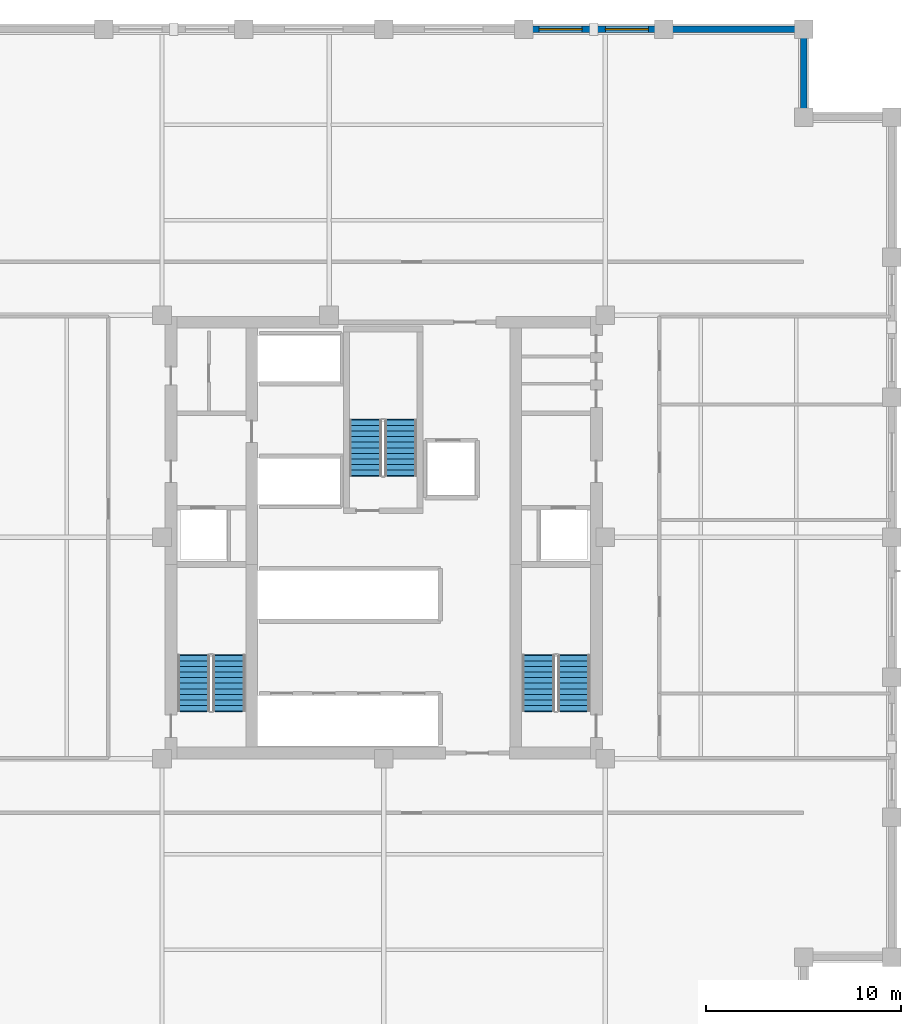
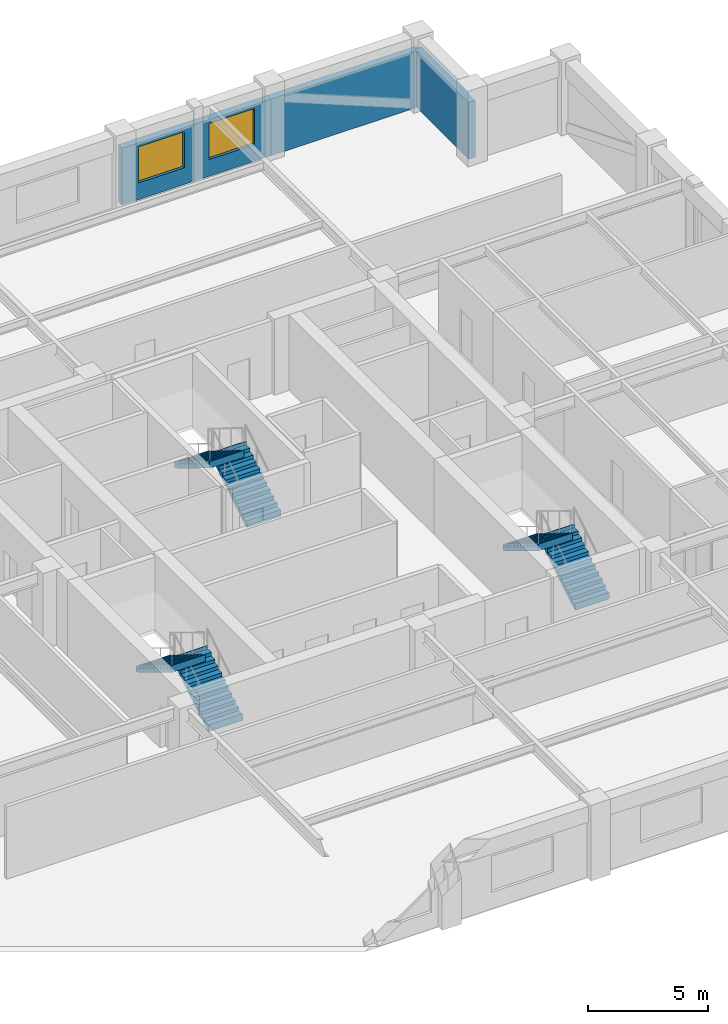
# One storey, part 8 of 9: 6 stair flights, 3 walls, 2 windows, 2 openings, 3 elements without a shape of their own.
"""IFC4 building model written with IfcOpenShell, lengths in metres."""

from ifc_helpers import new_model, si_unit, direction, frame, frame_2d, origin, place, context, subcontext, project, spatial, polyline, rectangle, outline, extrude, material, layer, layer_set, type_object, element, fill, aggregate, save


model = new_model("IFC4")

# Units and contexts
model_context = context("Model", 3, precision=1e-05, world=origin(), true_north=direction((0.0, 1.0)))
body_context = subcontext(model_context, "Body", "Model", "MODEL_VIEW")
ifc_project = project(units=[si_unit("LENGTHUNIT", "METRE"), si_unit("AREAUNIT", "SQUARE_METRE"), si_unit("VOLUMEUNIT", "CUBIC_METRE"), si_unit("PLANEANGLEUNIT", "RADIAN"), si_unit("MASSUNIT", "GRAM", prefix="KILO")], contexts=[model_context])

# Site, building, storey
site_placement = place(None, origin())
site = spatial("IfcSite", under=ifc_project, at=site_placement, CompositionType="ELEMENT")
building_placement = place(site_placement, origin())
building = spatial("IfcBuilding", under=site, at=building_placement, Name="Nhamokura Convention Tower", CompositionType="ELEMENT")
storey_placement = place(building_placement, frame((0.0, 0.0, 149.10009765625)))
storey = spatial("IfcBuildingStorey", under=building, at=storey_placement, Name="L36", CompositionType="ELEMENT", Elevation=149.10009765625)

# Wall, openings, windows
ifc_material_1 = material(Name="Bronze-pigmented precast concrete C45/55", Category="concrete")
ifc_layer = layer(ifc_material_1, 0.320068359375)
ifc_layer_set = layer_set([ifc_layer], Name="BronzePrecastSpandrel_320")
wall_type = type_object("IfcWallType", Name="BronzePrecastSpandrel_320", PredefinedType="USERDEFINED", material=ifc_layer_set)
wall_1_placement = place(storey_placement, frame((39.166748046875, 58.0, 0.0), z_axis=(0.0, 0.0, 1.0), x_axis=(1.0, 0.0, 0.0)))
wall_1 = element("IfcWall", 1, at=wall_1_placement, inside=storey, type_object=wall_type, Name="L36 Masonry-Frame Wall NORTH 4", ObjectType="SPANDREL_WALL", PredefinedType="USERDEFINED", context=body_context, shape_type="SweptSolid", body=[
    extrude(rectangle(XDim=7.16650390625, YDim=0.320068359375, at=frame_2d((3.583251953125, 0.0))), origin(), (0.0, 0.0, 1.0), 2.885009765625),
])
opening_1_placement = place(wall_1_placement, frame((0.791748046875, 0.0, 0.85009765625)))
opening_1 = element("IfcOpeningElement", 2, at=opening_1_placement, cuts=wall_1, Name="Opening W-06", PredefinedType="OPENING", context=body_context, shape_type="SweptSolid", body=[
    extrude(rectangle(XDim=2.199951171875, YDim=1.8349609375, at=frame_2d((1.10009765625, 0.91748046875))), frame((0.0, 0.169921875, 0.0), z_axis=(0.0, -1.0, 0.0), x_axis=(1.0, 0.0, 0.0)), (0.0, 0.0, 1.0), 0.340087890625),
])
opening_2_placement = place(wall_1_placement, frame((4.175048828125, 0.0, 0.85009765625)))
opening_2 = element("IfcOpeningElement", 3, at=opening_2_placement, cuts=wall_1, Name="Opening W-06", PredefinedType="OPENING", context=body_context, shape_type="SweptSolid", body=[
    extrude(rectangle(XDim=2.199951171875, YDim=1.8349609375, at=frame_2d((1.10009765625, 0.91748046875))), frame((0.0, 0.169921875, 0.0), z_axis=(0.0, -1.0, 0.0), x_axis=(1.0, 0.0, 0.0)), (0.0, 0.0, 1.0), 0.340087890625),
])
ifc_material_2 = material(Name="Solar-control bronze low-E double glass", Category="glass")
window_type = type_object("IfcWindowType", Name="OfficeModuleWindow_Z2_2200", PartitioningType="SINGLE_PANEL", PredefinedType="WINDOW", material=ifc_material_2)
window_1_placement = place(opening_1_placement, origin())
window_1 = element("IfcWindow", 4, at=window_1_placement, inside=storey, type_object=window_type, Name="L36 Facade Window NORTH 4-1", OverallHeight=1.8349609375, OverallWidth=2.199951171875, PartitioningType="SINGLE_PANEL", PredefinedType="WINDOW", context=body_context, shape_type="SweptSolid", body=[
    extrude(rectangle(XDim=2.199951171875, YDim=1.8349609375, at=frame_2d((1.10009765625, 0.91748046875))), frame((0.0, 0.030029296875, 0.0), z_axis=(0.0, -1.0, 0.0), x_axis=(1.0, 0.0, 0.0)), (0.0, 0.0, 1.0), 0.06005859375),
])
fill(opening_1, window_1)
window_2_placement = place(opening_2_placement, origin())
window_2 = element("IfcWindow", 5, at=window_2_placement, inside=storey, type_object=window_type, Name="L36 Facade Window NORTH 4-2", OverallHeight=1.8349609375, OverallWidth=2.199951171875, PartitioningType="SINGLE_PANEL", PredefinedType="WINDOW", context=body_context, shape_type="SweptSolid", body=[
    extrude(rectangle(XDim=2.199951171875, YDim=1.8349609375, at=frame_2d((1.10009765625, 0.91748046875))), frame((0.0, 0.030029296875, 0.0), z_axis=(0.0, -1.0, 0.0), x_axis=(1.0, 0.0, 0.0)), (0.0, 0.0, 1.0), 0.06005859375),
])
fill(opening_2, window_2)

# Walls
wall_2_placement = place(storey_placement, frame((46.333251953125, 58.0, 0.0), z_axis=(0.0, 0.0, 1.0), x_axis=(1.0, 0.0, 0.0)))
element("IfcWall", 6, at=wall_2_placement, inside=storey, type_object=wall_type, Name="L36 Braced-Bay Precast Wall NORTH 5", ObjectType="SPANDREL_WALL", PredefinedType="USERDEFINED", context=body_context, shape_type="SweptSolid", body=[
    extrude(rectangle(XDim=7.166748046875, YDim=0.320068359375, at=frame_2d((3.58349609375, 0.0))), origin(), (0.0, 0.0, 1.0), 2.885009765625),
])
wall_3_placement = place(storey_placement, frame((53.5, 58.0, 0.0), z_axis=(0.0, 0.0, 1.0), x_axis=(0.0, -1.0, 0.0)))
element("IfcWall", 7, at=wall_3_placement, inside=storey, type_object=wall_type, Name="L36 Notched Corner Wall NE2", ObjectType="SPANDREL_WALL", PredefinedType="USERDEFINED", context=body_context, shape_type="SweptSolid", body=[
    extrude(rectangle(XDim=4.5, YDim=0.320068359375, at=frame_2d((2.25, 0.0))), origin(), (0.0, 0.0, 1.0), 2.885009765625),
])

# Stair, stair flights
ifc_material_3 = material(Name="Concrete C40/50", Category="concrete")
stair_type = type_object("IfcStairType", Name="TowerCoreStair_1650", PredefinedType="HALF_TURN_STAIR", material=ifc_material_3)
stair_1_placement = place(storey_placement, origin())
stair_1 = element("IfcStair", 8, at=stair_1_placement, inside=storey, type_object=stair_type, Name="L36 West Core Smokeproof Stair ST-01", PredefinedType="HALF_TURN_STAIR")
ifc_material_4 = material(Name="Concrete C40/50", Category="concrete")
stair_flight_type = type_object("IfcStairFlightType", Name="TowerCoreStair_1650_Flight", PredefinedType="STRAIGHT", material=ifc_material_4)
stair_flight_1_placement = place(storey_placement, frame((24.074951171875, 23.10009765625, 0.0), z_axis=(0.0, 0.0, 1.0), x_axis=(0.0, 1.0, 0.0)))
stair_flight_1 = element("IfcStairFlight", 9, at=stair_flight_1_placement, type_object=stair_flight_type, Name="ST-01 flight 1", NumberOfRisers=11, NumberOfTreads=10, PredefinedType="STRAIGHT", RiserHeight=0.175, TreadLength=0.285, context=body_context, shape_type="SweptSolid", body=[
    extrude(outline(polyline([(-0.0419921875, 0.0), (0.0, 0.175048828125), (0.284912109375, 0.175048828125), (0.284912109375, 0.35009765625), (0.570068359375, 0.35009765625), (0.570068359375, 0.52490234375), (0.85498046875, 0.52490234375), (0.85498046875, 0.699951171875), (1.139892578125, 0.699951171875), (1.139892578125, 0.875), (1.425048828125, 0.875), (1.425048828125, 1.050048828125), (1.7099609375, 1.050048828125), (1.7099609375, 1.22509765625), (1.9951171875, 1.22509765625), (1.9951171875, 1.39990234375), (2.280029296875, 1.39990234375), (2.280029296875, 1.574951171875), (2.56494140625, 1.574951171875), (2.56494140625, 1.75), (2.85009765625, 1.75), (2.85009765625, 1.925048828125), (2.89208984375, 1.925048828125), (2.89208984375, 1.573974609375), (2.85009765625, 1.573974609375), (0.286376953125, 0.0), (0.02001953125, -0.1298828125), (-0.0419921875, -0.1298828125), (-0.0419921875, 0.0)])), frame((0.0, 0.824951171875, 0.0), z_axis=(0.0, -1.0, 0.0), x_axis=(1.0, 0.0, 0.0)), (0.0, 0.0, 1.0), 1.64990234375),
])
stair_flight_2_placement = place(storey_placement, frame((22.27490234375, 25.949951171875, 1.9248046875), z_axis=(0.0, 0.0, 1.0), x_axis=(0.0, -1.0, 0.0)))
stair_flight_2 = element("IfcStairFlight", 10, at=stair_flight_2_placement, type_object=stair_flight_type, Name="ST-01 flight 2", NumberOfRisers=11, NumberOfTreads=10, PredefinedType="STRAIGHT", RiserHeight=0.175, TreadLength=0.285, context=body_context, shape_type="SweptSolid", body=[
    extrude(outline(polyline([(-0.0419921875, 0.0), (0.0, 0.175048828125), (0.284912109375, 0.175048828125), (0.284912109375, 0.35009765625), (0.570068359375, 0.35009765625), (0.570068359375, 0.52490234375), (0.85498046875, 0.52490234375), (0.85498046875, 0.699951171875), (1.139892578125, 0.699951171875), (1.139892578125, 0.875), (1.425048828125, 0.875), (1.425048828125, 1.050048828125), (1.7099609375, 1.050048828125), (1.7099609375, 1.22509765625), (1.9951171875, 1.22509765625), (1.9951171875, 1.39990234375), (2.280029296875, 1.39990234375), (2.280029296875, 1.574951171875), (2.56494140625, 1.574951171875), (2.56494140625, 1.75), (2.85009765625, 1.75), (2.85009765625, 1.925048828125), (2.89208984375, 1.925048828125), (2.89208984375, 1.573974609375), (2.85009765625, 1.573974609375), (0.286376953125, 0.0), (0.02001953125, -0.1298828125), (-0.0419921875, -0.1298828125), (-0.0419921875, 0.0)])), frame((0.0, 0.824951171875, 0.0), z_axis=(0.0, -1.0, 0.0), x_axis=(1.0, 0.0, 0.0)), (0.0, 0.0, 1.0), 1.64990234375),
])
aggregate(stair_1, [stair_flight_1, stair_flight_2])

stair_2_placement = place(storey_placement, origin())
stair_2 = element("IfcStair", 11, at=stair_2_placement, inside=storey, type_object=stair_type, Name="L36 East Core Smokeproof Stair ST-02", PredefinedType="HALF_TURN_STAIR")
stair_flight_3_placement = place(storey_placement, frame((41.72509765625, 23.10009765625, 0.0), z_axis=(0.0, 0.0, 1.0), x_axis=(0.0, 1.0, 0.0)))
stair_flight_3 = element("IfcStairFlight", 12, at=stair_flight_3_placement, type_object=stair_flight_type, Name="ST-02 flight 1", NumberOfRisers=11, NumberOfTreads=10, PredefinedType="STRAIGHT", RiserHeight=0.175, TreadLength=0.285, context=body_context, shape_type="SweptSolid", body=[
    extrude(outline(polyline([(-0.0419921875, 0.0), (0.0, 0.175048828125), (0.284912109375, 0.175048828125), (0.284912109375, 0.35009765625), (0.570068359375, 0.35009765625), (0.570068359375, 0.52490234375), (0.85498046875, 0.52490234375), (0.85498046875, 0.699951171875), (1.139892578125, 0.699951171875), (1.139892578125, 0.875), (1.425048828125, 0.875), (1.425048828125, 1.050048828125), (1.7099609375, 1.050048828125), (1.7099609375, 1.22509765625), (1.9951171875, 1.22509765625), (1.9951171875, 1.39990234375), (2.280029296875, 1.39990234375), (2.280029296875, 1.574951171875), (2.56494140625, 1.574951171875), (2.56494140625, 1.75), (2.85009765625, 1.75), (2.85009765625, 1.925048828125), (2.89208984375, 1.925048828125), (2.89208984375, 1.573974609375), (2.85009765625, 1.573974609375), (0.286376953125, 0.0), (0.02001953125, -0.1298828125), (-0.0419921875, -0.1298828125), (-0.0419921875, 0.0)])), frame((0.0, 0.824951171875, 0.0), z_axis=(0.0, -1.0, 0.0), x_axis=(1.0, 0.0, 0.0)), (0.0, 0.0, 1.0), 1.64990234375),
])
stair_flight_4_placement = place(storey_placement, frame((39.925048828125, 25.949951171875, 1.9248046875), z_axis=(0.0, 0.0, 1.0), x_axis=(0.0, -1.0, 0.0)))
stair_flight_4 = element("IfcStairFlight", 13, at=stair_flight_4_placement, type_object=stair_flight_type, Name="ST-02 flight 2", NumberOfRisers=11, NumberOfTreads=10, PredefinedType="STRAIGHT", RiserHeight=0.175, TreadLength=0.285, context=body_context, shape_type="SweptSolid", body=[
    extrude(outline(polyline([(-0.0419921875, 0.0), (0.0, 0.175048828125), (0.284912109375, 0.175048828125), (0.284912109375, 0.35009765625), (0.570068359375, 0.35009765625), (0.570068359375, 0.52490234375), (0.85498046875, 0.52490234375), (0.85498046875, 0.699951171875), (1.139892578125, 0.699951171875), (1.139892578125, 0.875), (1.425048828125, 0.875), (1.425048828125, 1.050048828125), (1.7099609375, 1.050048828125), (1.7099609375, 1.22509765625), (1.9951171875, 1.22509765625), (1.9951171875, 1.39990234375), (2.280029296875, 1.39990234375), (2.280029296875, 1.574951171875), (2.56494140625, 1.574951171875), (2.56494140625, 1.75), (2.85009765625, 1.75), (2.85009765625, 1.925048828125), (2.89208984375, 1.925048828125), (2.89208984375, 1.573974609375), (2.85009765625, 1.573974609375), (0.286376953125, 0.0), (0.02001953125, -0.1298828125), (-0.0419921875, -0.1298828125), (-0.0419921875, 0.0)])), frame((0.0, 0.824951171875, 0.0), z_axis=(0.0, -1.0, 0.0), x_axis=(1.0, 0.0, 0.0)), (0.0, 0.0, 1.0), 1.64990234375),
])
aggregate(stair_2, [stair_flight_3, stair_flight_4])

stair_3_placement = place(storey_placement, origin())
stair_3 = element("IfcStair", 14, at=stair_3_placement, inside=storey, type_object=stair_type, Name="L36 North Core Smokeproof Stair ST-03", PredefinedType="HALF_TURN_STAIR")
stair_flight_5_placement = place(storey_placement, frame((32.875, 35.14990234375, 0.0), z_axis=(0.0, 0.0, 1.0), x_axis=(0.0, 1.0, 0.0)))
stair_flight_5 = element("IfcStairFlight", 15, at=stair_flight_5_placement, type_object=stair_flight_type, Name="ST-03 flight 1", NumberOfRisers=11, NumberOfTreads=10, PredefinedType="STRAIGHT", RiserHeight=0.175, TreadLength=0.285, context=body_context, shape_type="SweptSolid", body=[
    extrude(outline(polyline([(-0.0419921875, 0.0), (0.0, 0.175048828125), (0.284912109375, 0.175048828125), (0.284912109375, 0.35009765625), (0.570068359375, 0.35009765625), (0.570068359375, 0.52490234375), (0.85498046875, 0.52490234375), (0.85498046875, 0.699951171875), (1.139892578125, 0.699951171875), (1.139892578125, 0.875), (1.425048828125, 0.875), (1.425048828125, 1.050048828125), (1.7099609375, 1.050048828125), (1.7099609375, 1.22509765625), (1.9951171875, 1.22509765625), (1.9951171875, 1.39990234375), (2.280029296875, 1.39990234375), (2.280029296875, 1.574951171875), (2.56494140625, 1.574951171875), (2.56494140625, 1.75), (2.85009765625, 1.75), (2.85009765625, 1.925048828125), (2.89208984375, 1.925048828125), (2.89208984375, 1.573974609375), (2.85009765625, 1.573974609375), (0.286376953125, 0.0), (0.02001953125, -0.1298828125), (-0.0419921875, -0.1298828125), (-0.0419921875, 0.0)])), frame((0.0, 0.824951171875, 0.0), z_axis=(0.0, -1.0, 0.0), x_axis=(1.0, 0.0, 0.0)), (0.0, 0.0, 1.0), 1.64990234375),
])
stair_flight_6_placement = place(storey_placement, frame((31.074951171875, 38.0, 1.9248046875), z_axis=(0.0, 0.0, 1.0), x_axis=(0.0, -1.0, 0.0)))
stair_flight_6 = element("IfcStairFlight", 16, at=stair_flight_6_placement, type_object=stair_flight_type, Name="ST-03 flight 2", NumberOfRisers=11, NumberOfTreads=10, PredefinedType="STRAIGHT", RiserHeight=0.175, TreadLength=0.285, context=body_context, shape_type="SweptSolid", body=[
    extrude(outline(polyline([(-0.0419921875, 0.0), (0.0, 0.175048828125), (0.284912109375, 0.175048828125), (0.284912109375, 0.35009765625), (0.570068359375, 0.35009765625), (0.570068359375, 0.52490234375), (0.85498046875, 0.52490234375), (0.85498046875, 0.699951171875), (1.139892578125, 0.699951171875), (1.139892578125, 0.875), (1.425048828125, 0.875), (1.425048828125, 1.050048828125), (1.7099609375, 1.050048828125), (1.7099609375, 1.22509765625), (1.9951171875, 1.22509765625), (1.9951171875, 1.39990234375), (2.280029296875, 1.39990234375), (2.280029296875, 1.574951171875), (2.56494140625, 1.574951171875), (2.56494140625, 1.75), (2.85009765625, 1.75), (2.85009765625, 1.925048828125), (2.89208984375, 1.925048828125), (2.89208984375, 1.573974609375), (2.85009765625, 1.573974609375), (0.286376953125, 0.0), (0.02001953125, -0.1298828125), (-0.0419921875, -0.1298828125), (-0.0419921875, 0.0)])), frame((0.0, 0.824951171875, 0.0), z_axis=(0.0, -1.0, 0.0), x_axis=(1.0, 0.0, 0.0)), (0.0, 0.0, 1.0), 1.64990234375),
])
aggregate(stair_3, [stair_flight_5, stair_flight_6])

save(model, "model.ifc")
